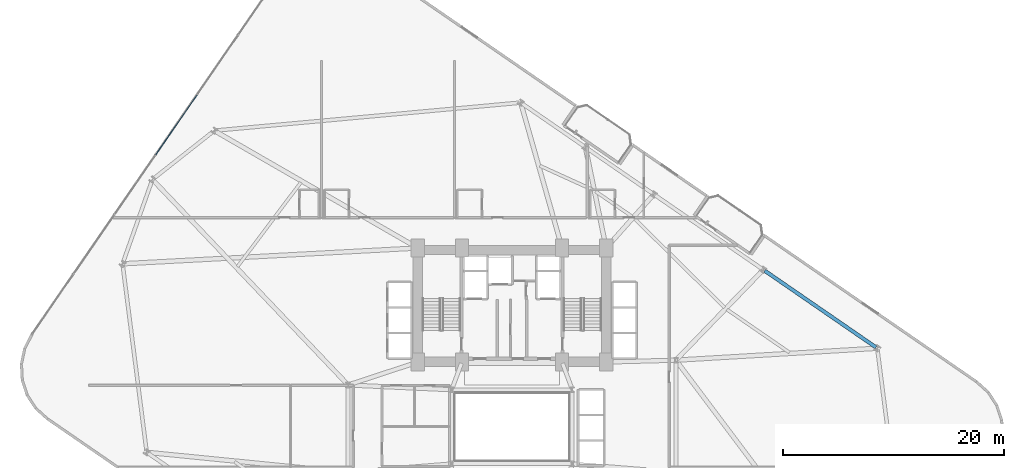
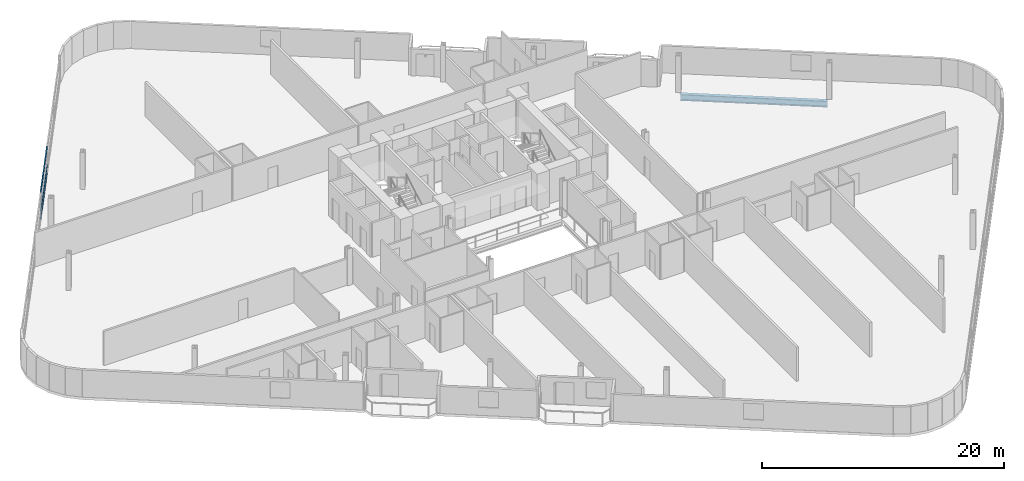
# One storey, part 12 of 25: 3 members, 1 beam, 1 element without a shape of its own.
"""IFC4 building model written with IfcOpenShell, lengths in metres."""

from ifc_helpers import new_model, si_unit, direction, frame, origin, origin_2d, place, context, subcontext, project, spatial, hollow_rectangle, i_section, extrude, material, layer, layer_set, material_profile, profile_set, type_object, element, aggregate, save


model = new_model("IFC4")

# Units and contexts
model_context = context("Model", 3, precision=1e-05, world=origin(), true_north=direction((0.0, 1.0)))
body_context = subcontext(model_context, "Body", "Model", "MODEL_VIEW")
ifc_project = project(units=[si_unit("LENGTHUNIT", "METRE"), si_unit("AREAUNIT", "SQUARE_METRE"), si_unit("VOLUMEUNIT", "CUBIC_METRE"), si_unit("PLANEANGLEUNIT", "RADIAN"), si_unit("MASSUNIT", "GRAM", prefix="KILO")], contexts=[model_context])

# Site, building, storey
site_placement = place(None, origin())
site = spatial("IfcSite", under=ifc_project, at=site_placement, CompositionType="ELEMENT")
building_placement = place(site_placement, origin())
building = spatial("IfcBuilding", under=site, at=building_placement, Name="Varnelok Gate Tower", CompositionType="ELEMENT")
storey_placement = place(building_placement, frame((0.0, 0.0, 49.199951171875)))
storey = spatial("IfcBuildingStorey", under=building, at=storey_placement, Name="L11", CompositionType="ELEMENT", Elevation=49.199951171875)

# Beam
ifc_material_1 = material(Name="Structural Steel ASTM A992 Grade 50", Category="steel")
ifc_material_profile_1 = material_profile(ifc_material_1, i_section(OverallWidth=0.323974609375, OverallDepth=0.611083984375, WebThickness=0.0126953125, FlangeThickness=0.01904296875, FilletRadius=0.01806640625, at=origin_2d()), Name="W24X104")
ifc_profile_set_1 = profile_set([ifc_material_profile_1], Name="Structural Steel ASTM A992 Grade 50")
beam_type = type_object("IfcBeamType", Name="BM-SPN-W24X104", PredefinedType="SPANDREL", material=ifc_profile_set_1)
beam_placement = place(storey_placement, frame((72.06201171875, 30.08251953125, -0.555419921875), z_axis=(-0.823543541425, 0.567253061144, 0.0), x_axis=(-0.567253061144, -0.823543541425, 0.0)))
element("IfcBeam", 1, at=beam_placement, inside=storey, type_object=beam_type, Name="L11 Perimeter Spandrel Beam 9", PredefinedType="SPANDREL", context=body_context, shape_type="SweptSolid", body=[
    extrude(i_section(OverallWidth=0.323974609375, OverallDepth=0.611083984375, WebThickness=0.0126953125, FlangeThickness=0.01904296875, FilletRadius=0.01806640625, at=origin_2d()), origin(), (0.0, 0.0, 1.0), 12.199951171875),
])

# Curtain wall, members
ifc_material_2 = material(Name="Anodized Aluminum Alloy 6063-T6", Category="aluminium")
ifc_layer = layer(ifc_material_2, 0.179931640625)
ifc_layer_set = layer_set([ifc_layer], Name="Anodized Aluminum Alloy 6063-T6")
curtain_wall_type = type_object("IfcCurtainWallType", Name="CW3-HOTEL-VISION", PredefinedType="USERDEFINED", material=ifc_layer_set)
curtain_wall_placement = place(storey_placement, origin())
curtain_wall = element("IfcCurtainWall", 2, at=curtain_wall_placement, inside=storey, type_object=curtain_wall_type, Name="L11 West End Vision Curtain Wall", ObjectType="UNITISED CURTAIN WALL", PredefinedType="USERDEFINED")
ifc_material_profile_2 = material_profile(ifc_material_2, hollow_rectangle(XDim=0.06494140625, YDim=0.159912109375, WallThickness=0.00390625, at=origin_2d()), Name="ALU160X65X4")
ifc_profile_set_2 = profile_set([ifc_material_profile_2], Name="Anodized Aluminum Alloy 6063-T6")
member_type = type_object("IfcMemberType", Name="CW-TRAN-160", PredefinedType="USERDEFINED", material=ifc_profile_set_2)
member_1_placement = place(storey_placement, frame((7.05126953125, 47.484375, 0.032470703125), z_axis=(0.567279204469, 0.823525533409, 0.0), x_axis=(-0.823525533409, 0.567279204469, 0.0)))
member_1 = element("IfcMember", 3, at=member_1_placement, type_object=member_type, Name="CW3 transom 4.1", ObjectType="TRANSOM", PredefinedType="USERDEFINED", context=body_context, shape_type="SweptSolid", body=[
    extrude(hollow_rectangle(XDim=0.06494140625, YDim=0.159912109375, WallThickness=0.00390625, at=origin_2d()), origin(), (0.0, 0.0, 1.0), 6.501708984375),
])
member_2_placement = place(storey_placement, frame((7.05126953125, 47.484375, 0.900146484375), z_axis=(0.567279204469, 0.823525533409, 0.0), x_axis=(-0.823525533409, 0.567279204469, 0.0)))
member_2 = element("IfcMember", 4, at=member_2_placement, type_object=member_type, Name="CW3 transom 4.2", ObjectType="TRANSOM", PredefinedType="USERDEFINED", context=body_context, shape_type="SweptSolid", body=[
    extrude(hollow_rectangle(XDim=0.06494140625, YDim=0.159912109375, WallThickness=0.00390625, at=origin_2d()), origin(), (0.0, 0.0, 1.0), 6.501708984375),
])
member_3_placement = place(storey_placement, frame((7.05126953125, 47.484375, 2.697509765625), z_axis=(0.567279204469, 0.823525533409, 0.0), x_axis=(-0.823525533409, 0.567279204469, 0.0)))
member_3 = element("IfcMember", 5, at=member_3_placement, type_object=member_type, Name="CW3 transom 4.3", ObjectType="TRANSOM", PredefinedType="USERDEFINED", context=body_context, shape_type="SweptSolid", body=[
    extrude(hollow_rectangle(XDim=0.06494140625, YDim=0.159912109375, WallThickness=0.00390625, at=origin_2d()), origin(), (0.0, 0.0, 1.0), 6.501708984375),
])
aggregate(curtain_wall, [member_1, member_2, member_3])

save(model, "model.ifc")
